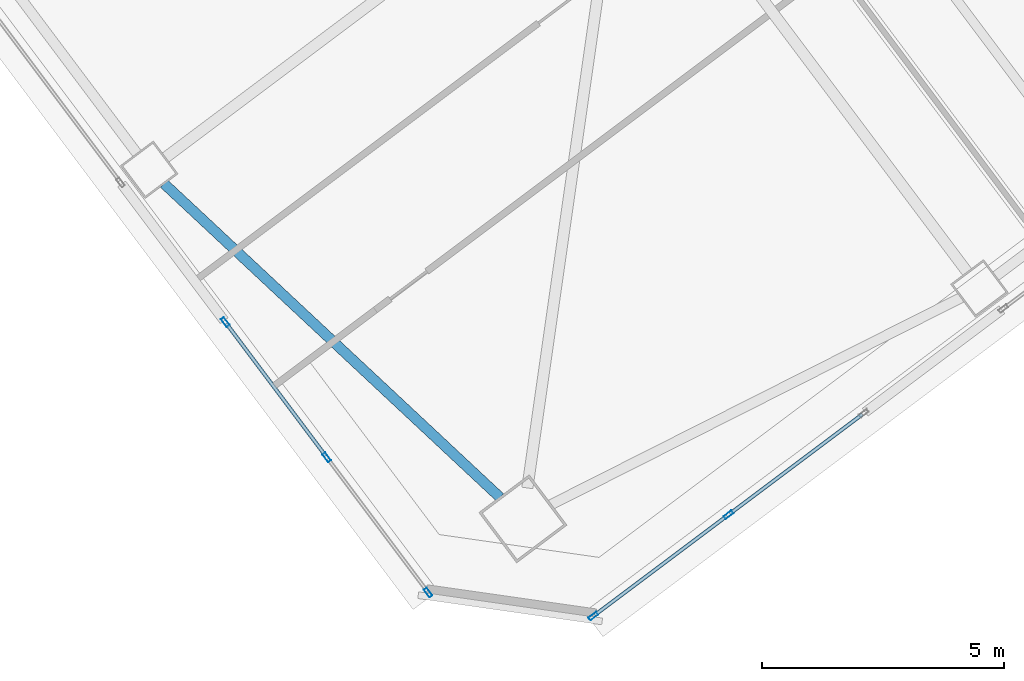
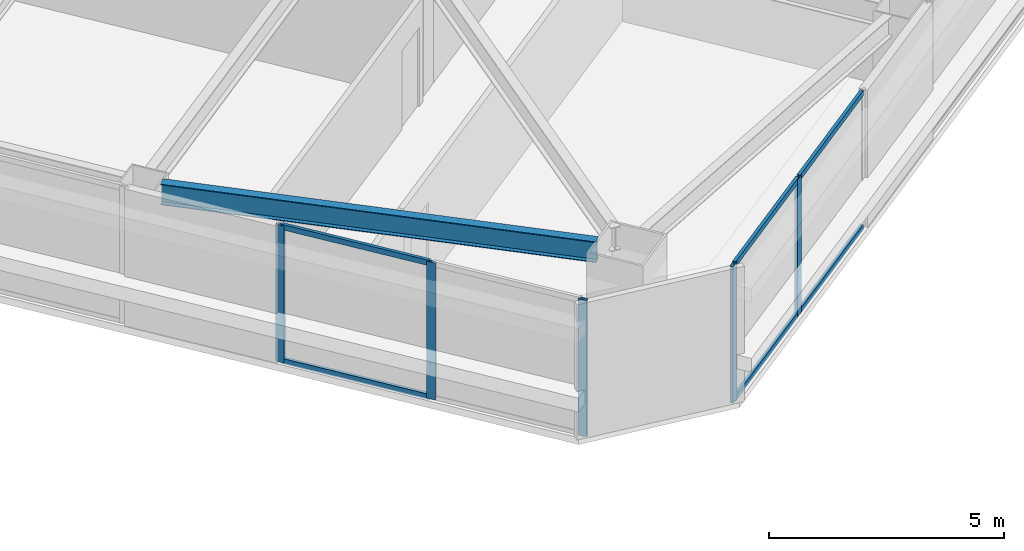
# One storey, part 17 of 46: 11 members, 1 beam, 2 elements without a shape of their own.
"""IFC4 building model written with IfcOpenShell, lengths in metres."""

from ifc_helpers import new_model, si_unit, direction, frame, origin, origin_2d, place, context, subcontext, project, spatial, hollow_rectangle, i_section, extrude, material, material_profile, profile_set, type_object, element, aggregate, save


model = new_model("IFC4")

# Units and contexts
model_context = context("Model", 3, precision=1e-05, world=origin(), true_north=direction((0.0, 1.0)))
body_context = subcontext(model_context, "Body", "Model", "MODEL_VIEW")
ifc_project = project(units=[si_unit("LENGTHUNIT", "METRE"), si_unit("AREAUNIT", "SQUARE_METRE"), si_unit("VOLUMEUNIT", "CUBIC_METRE"), si_unit("PLANEANGLEUNIT", "RADIAN"), si_unit("MASSUNIT", "GRAM", prefix="KILO")], contexts=[model_context])

# Site, building, storey
site_placement = place(None, origin())
site = spatial("IfcSite", under=ifc_project, at=site_placement, CompositionType="ELEMENT")
building_placement = place(site_placement, origin())
building = spatial("IfcBuilding", under=site, at=building_placement, Name="Tashvorn Skyway Center", CompositionType="ELEMENT")
storey_placement = place(building_placement, frame((0.0, 0.0, 132.14990234375)))
storey = spatial("IfcBuildingStorey", under=building, at=storey_placement, Name="L35", CompositionType="ELEMENT", Elevation=132.14990234375)

# Beam
ifc_material_1 = material(Name="Steel ASTM A992 Grade 50", Category="steel")
ifc_material_profile_1 = material_profile(ifc_material_1, i_section(OverallWidth=0.2109375, OverallDepth=0.5390625, WebThickness=0.01171875, FlangeThickness=0.018798828125, at=origin_2d()), Name="W21X73")
ifc_profile_set_1 = profile_set([ifc_material_profile_1], Name="Steel ASTM A992 Grade 50")
beam_type = type_object("IfcBeamType", Name="BM-SPANDREL-W21X73", PredefinedType="SPANDREL", material=ifc_profile_set_1)
beam_placement = place(storey_placement, frame((103.427001953125, 16.80322265625, 3.1005859375), z_axis=(0.730843250868, -0.682545341102, 0.0), x_axis=(0.682545341102, 0.730843250868, 0.0)))
element("IfcBeam", 1, at=beam_placement, inside=storey, type_object=beam_type, Name="Tower 2 L35 Spandrel Beam 12", PredefinedType="SPANDREL", context=body_context, shape_type="SweptSolid", body=[
    extrude(i_section(OverallWidth=0.2109375, OverallDepth=0.5390625, WebThickness=0.01171875, FlangeThickness=0.018798828125, at=origin_2d()), origin(), (0.0, 0.0, 1.0), 9.498046875),
])

# Curtain wall, members
ifc_material_2 = material(Name="Thermally broken bronze-anodized aluminium 6063-T6", Category="aluminium")
curtain_wall_type = type_object("IfcCurtainWallType", Name="CW-CW-Z3", PredefinedType="NOTDEFINED", material=ifc_material_2)
curtain_wall_1_placement = place(storey_placement, origin())
curtain_wall_1 = element("IfcCurtainWall", 2, at=curtain_wall_1_placement, inside=storey, type_object=curtain_wall_type, Name="Tower 2 L35 South Unitised Curtain Wall Glazing Group 3", PredefinedType="NOTDEFINED")
ifc_material_profile_2 = material_profile(ifc_material_2, hollow_rectangle(XDim=0.074951171875, YDim=0.199951171875, WallThickness=0.00439453125, at=origin_2d()), Name="ALU-MULL-75x200")
ifc_profile_set_2 = profile_set([ifc_material_profile_2], Name="Thermally broken bronze-anodized aluminium 6063-T6")
member_type_1 = type_object("IfcMemberType", Name="CWM-CW-Z3", PredefinedType="MULLION", material=ifc_profile_set_2)
member_1_placement = place(storey_placement, frame((115.087158203125, 9.96533203125, 0.0), z_axis=(0.0, 0.0, 1.0), x_axis=(0.600004533995, -0.799996599484, 0.0)))
member_1 = element("IfcMember", 3, at=member_1_placement, type_object=member_type_1, Name="CW-Z3 mullion 2", PredefinedType="MULLION", context=body_context, shape_type="SweptSolid", body=[
    extrude(hollow_rectangle(XDim=0.074951171875, YDim=0.199951171875, WallThickness=0.00439453125, at=origin_2d()), origin(), (0.0, 0.0, 1.0), 3.550048828125),
])
member_2_placement = place(storey_placement, frame((112.2939453125, 7.87060546875, 0.0), z_axis=(0.0, 0.0, 1.0), x_axis=(0.600004533995, -0.799996599484, 0.0)))
member_2 = element("IfcMember", 4, at=member_2_placement, type_object=member_type_1, Name="CW-Z3 mullion 3", PredefinedType="MULLION", context=body_context, shape_type="SweptSolid", body=[
    extrude(hollow_rectangle(XDim=0.074951171875, YDim=0.199951171875, WallThickness=0.00439453125, at=origin_2d()), origin(), (0.0, 0.0, 1.0), 3.550048828125),
])

curtain_wall_2_placement = place(storey_placement, origin())
curtain_wall_2 = element("IfcCurtainWall", 5, at=curtain_wall_2_placement, inside=storey, type_object=curtain_wall_type, Name="Tower 2 L35 West Unitised Curtain Wall Glazing Group 1", PredefinedType="NOTDEFINED")
member_3_placement = place(storey_placement, frame((108.881591796875, 8.35791015625, 0.0), z_axis=(0.0, 0.0, 1.0), x_axis=(-0.799996599484, -0.600004533995, 0.0)))
member_3 = element("IfcMember", 6, at=member_3_placement, type_object=member_type_1, Name="CW-Z3 mullion 1", PredefinedType="MULLION", context=body_context, shape_type="SweptSolid", body=[
    extrude(hollow_rectangle(XDim=0.074951171875, YDim=0.199951171875, WallThickness=0.00439453125, at=origin_2d()), origin(), (0.0, 0.0, 1.0), 3.550048828125),
])
member_4_placement = place(storey_placement, frame((106.78662109375, 11.151123046875, 0.0), z_axis=(0.0, 0.0, 1.0), x_axis=(-0.799996599484, -0.600004533995, 0.0)))
member_4 = element("IfcMember", 7, at=member_4_placement, type_object=member_type_1, Name="CW-Z3 mullion 2", PredefinedType="MULLION", context=body_context, shape_type="SweptSolid", body=[
    extrude(hollow_rectangle(XDim=0.074951171875, YDim=0.199951171875, WallThickness=0.00439453125, at=origin_2d()), origin(), (0.0, 0.0, 1.0), 3.550048828125),
])
member_5_placement = place(storey_placement, frame((104.69189453125, 13.944091796875, 0.0), z_axis=(0.0, 0.0, 1.0), x_axis=(-0.799996599484, -0.600004533995, 0.0)))
member_5 = element("IfcMember", 8, at=member_5_placement, type_object=member_type_1, Name="CW-Z3 mullion 3", PredefinedType="MULLION", context=body_context, shape_type="SweptSolid", body=[
    extrude(hollow_rectangle(XDim=0.074951171875, YDim=0.199951171875, WallThickness=0.00439453125, at=origin_2d()), origin(), (0.0, 0.0, 1.0), 3.550048828125),
])

# Member
ifc_material_profile_3 = material_profile(ifc_material_2, hollow_rectangle(XDim=0.074951171875, YDim=0.139892578125, WallThickness=0.004150390625, at=origin_2d()), Name="ALU-TRAN-75x140")
ifc_profile_set_3 = profile_set([ifc_material_profile_3], Name="Thermally broken bronze-anodized aluminium 6063-T6")
member_type_2 = type_object("IfcMemberType", Name="CWT-CW-Z3", PredefinedType="USERDEFINED", material=ifc_profile_set_3)
member_6_placement = place(storey_placement, frame((117.85009765625, 12.03759765625, 0.03759765625), z_axis=(-0.799982847995, -0.600022868659, 0.0), x_axis=(0.600022868659, -0.799982847995, 0.0)))
member_6 = element("IfcMember", 9, at=member_6_placement, type_object=member_type_2, Name="CW-Z3 transom 1.1", ObjectType="TRANSOM", PredefinedType="USERDEFINED", context=body_context, shape_type="SweptSolid", body=[
    extrude(hollow_rectangle(XDim=0.074951171875, YDim=0.139892578125, WallThickness=0.004150390625, at=origin_2d()), origin(), (0.0, 0.0, 1.0), 3.416259765625),
])

member_7_placement = place(storey_placement, frame((117.85009765625, 12.03759765625, 3.5126953125), z_axis=(-0.799982847995, -0.600022868659, 0.0), x_axis=(0.600022868659, -0.799982847995, 0.0)))
member_7 = element("IfcMember", 10, at=member_7_placement, type_object=member_type_2, Name="CW-Z3 transom 1.2", ObjectType="TRANSOM", PredefinedType="USERDEFINED", context=body_context, shape_type="SweptSolid", body=[
    extrude(hollow_rectangle(XDim=0.074951171875, YDim=0.139892578125, WallThickness=0.004150390625, at=origin_2d()), origin(), (0.0, 0.0, 1.0), 3.416259765625),
])

member_8_placement = place(storey_placement, frame((115.05712890625, 9.94287109375, 0.03759765625), z_axis=(-0.800008575267, -0.59998856614, 0.0), x_axis=(0.59998856614, -0.800008575267, 0.0)))
member_8 = element("IfcMember", 11, at=member_8_placement, type_object=member_type_2, Name="CW-Z3 transom 2.1", ObjectType="TRANSOM", PredefinedType="USERDEFINED", context=body_context, shape_type="SweptSolid", body=[
    extrude(hollow_rectangle(XDim=0.074951171875, YDim=0.139892578125, WallThickness=0.004150390625, at=origin_2d()), origin(), (0.0, 0.0, 1.0), 3.41650390625),
])

member_9_placement = place(storey_placement, frame((115.05712890625, 9.94287109375, 3.5126953125), z_axis=(-0.800008575267, -0.59998856614, 0.0), x_axis=(0.59998856614, -0.800008575267, 0.0)))
member_9 = element("IfcMember", 12, at=member_9_placement, type_object=member_type_2, Name="CW-Z3 transom 2.2", ObjectType="TRANSOM", PredefinedType="USERDEFINED", context=body_context, shape_type="SweptSolid", body=[
    extrude(hollow_rectangle(XDim=0.074951171875, YDim=0.139892578125, WallThickness=0.004150390625, at=origin_2d()), origin(), (0.0, 0.0, 1.0), 3.41650390625),
])

aggregate(curtain_wall_1, [member_1, member_2, member_6, member_7, member_8, member_9])

member_10_placement = place(storey_placement, frame((106.76416015625, 11.18115234375, 0.03759765625), z_axis=(-0.59998856614, 0.800008575267, 0.0), x_axis=(-0.800008575267, -0.59998856614, 0.0)))
member_10 = element("IfcMember", 13, at=member_10_placement, type_object=member_type_2, Name="CW-Z3 transom 2.1", ObjectType="TRANSOM", PredefinedType="USERDEFINED", context=body_context, shape_type="SweptSolid", body=[
    extrude(hollow_rectangle(XDim=0.074951171875, YDim=0.139892578125, WallThickness=0.004150390625, at=origin_2d()), origin(), (0.0, 0.0, 1.0), 3.41650390625),
])

member_11_placement = place(storey_placement, frame((106.76416015625, 11.18115234375, 3.5126953125), z_axis=(-0.59998856614, 0.800008575267, 0.0), x_axis=(-0.800008575267, -0.59998856614, 0.0)))
member_11 = element("IfcMember", 14, at=member_11_placement, type_object=member_type_2, Name="CW-Z3 transom 2.2", ObjectType="TRANSOM", PredefinedType="USERDEFINED", context=body_context, shape_type="SweptSolid", body=[
    extrude(hollow_rectangle(XDim=0.074951171875, YDim=0.139892578125, WallThickness=0.004150390625, at=origin_2d()), origin(), (0.0, 0.0, 1.0), 3.41650390625),
])

aggregate(curtain_wall_2, [member_3, member_4, member_5, member_10, member_11])

save(model, "model.ifc")
